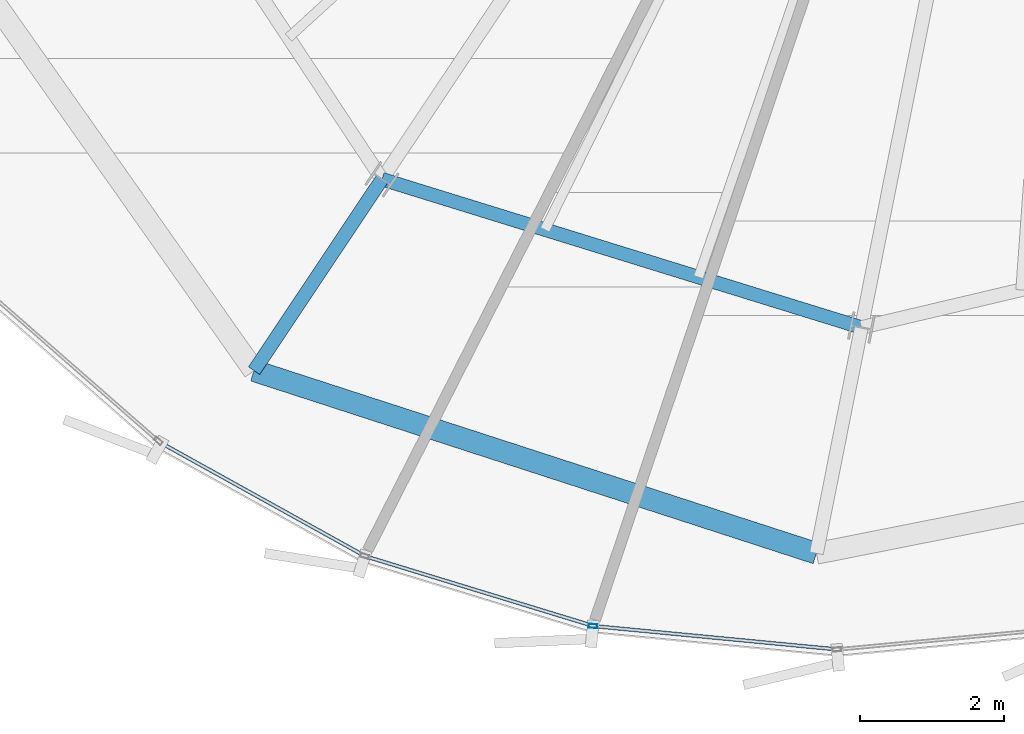
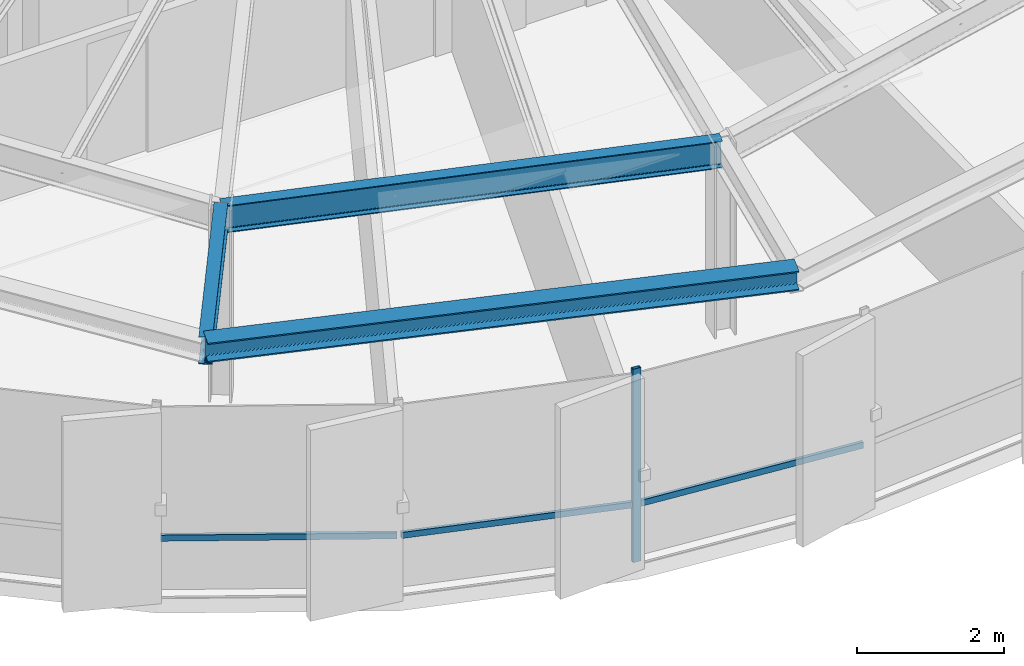
# One storey, part 3 of 33: 4 members, 3 beams, 1 element without a shape of its own.
"""IFC4 building model written with IfcOpenShell, lengths in metres."""

from ifc_helpers import new_model, si_unit, direction, frame, origin, origin_2d, place, context, subcontext, project, spatial, hollow_rectangle, i_section, extrude, source, transform, mapped, material, layer, layer_set, material_profile, profile_set, type_object, element, aggregate, save


model = new_model("IFC4")

# Units and contexts
model_context = context("Model", 3, precision=1e-05, world=origin(), true_north=direction((0.0, 1.0)))
body_context = subcontext(model_context, "Body", "Model", "MODEL_VIEW")
ifc_project = project(units=[si_unit("LENGTHUNIT", "METRE"), si_unit("AREAUNIT", "SQUARE_METRE"), si_unit("VOLUMEUNIT", "CUBIC_METRE"), si_unit("PLANEANGLEUNIT", "RADIAN"), si_unit("MASSUNIT", "GRAM", prefix="KILO"), si_unit("THERMODYNAMICTEMPERATUREUNIT", "KELVIN")], contexts=[model_context])

# Site, building, storey
site_placement = place(None, origin())
site = spatial("IfcSite", under=ifc_project, at=site_placement, CompositionType="ELEMENT")
building_placement = place(site_placement, origin())
building = spatial("IfcBuilding", under=site, at=building_placement, Name="Kethvar Cultural Tower", CompositionType="ELEMENT")
storey_placement = place(building_placement, frame((0.0, 0.0, 256.0)))
storey = spatial("IfcBuildingStorey", under=building, at=storey_placement, Name="L67", CompositionType="ELEMENT", Elevation=256.0)

# Beams
ifc_material_1 = material(Name="Steel S355J2", Category="steel")
ifc_material_profile_1 = material_profile(ifc_material_1, i_section(OverallWidth=0.18994140625, OverallDepth=0.449951171875, WebThickness=0.009521484375, FlangeThickness=0.0146484375, FilletRadius=0.02099609375, at=origin_2d()), Name="Steel S355J2 — IPE450")
ifc_profile_set_1 = profile_set([ifc_material_profile_1], Name="Steel S355J2 — IPE450")
beam_type_1 = type_object("IfcBeamType", Name="BM-IPE450", PredefinedType="BEAM", material=ifc_profile_set_1)
shared_shape_1 = source(origin(), body_context, "Body", "SweptSolid", [
    extrude(i_section(OverallWidth=0.18994140625, OverallDepth=0.449951171875, WebThickness=0.009521484375, FlangeThickness=0.0146484375, FilletRadius=0.02099609375, at=origin_2d()), origin(), (0.0, 0.0, 1.0), 3.199951171875),
])
beam_1_placement = place(storey_placement, frame((36.731201171875, 12.73095703125, 2.98291015625), z_axis=(-0.555580212716, -0.831462943996, 0.0), x_axis=(0.831462943996, -0.555580212716, 0.0)))
element("IfcBeam", 1, at=beam_1_placement, inside=storey, type_object=beam_type_1, Name="L67 Perimeter Cantilever Beam RC-11", PredefinedType="BEAM", context=body_context, shape_type="MappedRepresentation", body=[
    mapped(shared_shape_1, transform((0.0, 0.0, 0.0), scale=1.0)),
])
shared_shape_2 = source(origin(), body_context, "Body", "SweptSolid", [
    extrude(i_section(OverallWidth=0.18994140625, OverallDepth=0.449951171875, WebThickness=0.009521484375, FlangeThickness=0.0146484375, FilletRadius=0.02099609375, at=origin_2d()), origin(), (0.0, 0.0, 1.0), 6.97265625),
])
beam_2_placement = place(storey_placement, frame((36.731201171875, 12.73095703125, 2.98291015625), z_axis=(0.955381444404, -0.295374839295, 0.0), x_axis=(0.295374839295, 0.955381444404, 0.0)))
element("IfcBeam", 2, at=beam_2_placement, inside=storey, type_object=beam_type_1, Name="L67 Column Ring Tie Beam CR-11", PredefinedType="BEAM", context=body_context, shape_type="MappedRepresentation", body=[
    mapped(shared_shape_2, transform((0.0, 0.0, 0.0), scale=1.0)),
])
ifc_material_profile_2 = material_profile(ifc_material_1, i_section(OverallWidth=0.300048828125, OverallDepth=0.320068359375, WebThickness=0.011474609375, FlangeThickness=0.0205078125, FilletRadius=0.027099609375, at=origin_2d()), Name="Steel S355J2 — HEB320")
ifc_profile_set_2 = profile_set([ifc_material_profile_2], Name="Steel S355J2 — HEB320")
beam_type_2 = type_object("IfcBeamType", Name="BM-SP320", PredefinedType="SPANDREL", material=ifc_profile_set_2)
shared_shape_3 = source(origin(), body_context, "Body", "SweptSolid", [
    extrude(i_section(OverallWidth=0.300048828125, OverallDepth=0.320068359375, WebThickness=0.011474609375, FlangeThickness=0.0205078125, FilletRadius=0.027099609375, at=origin_2d()), origin(), (0.0, 0.0, 1.0), 8.216796875),
])
beam_3_placement = place(storey_placement, frame((34.953369140625, 10.0703125, 3.048095703125), z_axis=(0.951117661456, -0.30882874553, 0.0), x_axis=(0.30882874553, 0.951117661456, 0.0)))
element("IfcBeam", 3, at=beam_3_placement, inside=storey, type_object=beam_type_2, Name="L67 Perimeter Spandrel Beam SP-11", PredefinedType="SPANDREL", context=body_context, shape_type="MappedRepresentation", body=[
    mapped(shared_shape_3, transform((0.0, 0.0, 0.0), scale=1.0)),
])

# Curtain wall, members
ifc_material_2 = material(Name="Aluminium 6063-T6", Category="aluminium")
ifc_layer = layer(ifc_material_2, 0.179931640625, Name="Aluminium 6063-T6", Category="aluminium")
ifc_layer_set = layer_set([ifc_layer], Name="Aluminium 6063-T6 (180 mm)")
curtain_wall_type = type_object("IfcCurtainWallType", Name="CW-SYS-05-Z56", PredefinedType="NOTDEFINED", material=ifc_layer_set)
curtain_wall_placement = place(storey_placement, origin())
curtain_wall = element("IfcCurtainWall", 4, at=curtain_wall_placement, inside=storey, type_object=curtain_wall_type, Name="L67 Curtain Wall Run 04", PredefinedType="NOTDEFINED")
ifc_material_profile_3 = material_profile(ifc_material_2, hollow_rectangle(XDim=0.054931640625, YDim=0.1201171875, WallThickness=0.00390625, at=origin_2d()), Name="Aluminium 6063-T6 — RHS120x55x4")
ifc_profile_set_3 = profile_set([ifc_material_profile_3], Name="Aluminium 6063-T6 — RHS120x55x4")
member_type_1 = type_object("IfcMemberType", Name="CW-SYS-05-Z56-MUL", PredefinedType="MULLION", material=ifc_profile_set_3)
shared_shape_4 = source(origin(), body_context, "Body", "SweptSolid", [
    extrude(hollow_rectangle(XDim=0.054931640625, YDim=0.1201171875, WallThickness=0.00390625, at=origin_2d()), origin(), (0.0, 0.0, 1.0), 3.2099609375),
])
member_1_placement = place(storey_placement, frame((39.662841796875, 6.523193359375, 0.0), z_axis=(0.0, 0.0, 1.0), x_axis=(0.095289803488, 0.995449573485, 0.0)))
member_1 = element("IfcMember", 5, at=member_1_placement, type_object=member_type_1, Name="CW-L67-R04 Mullion 3", PredefinedType="MULLION", context=body_context, shape_type="MappedRepresentation", body=[
    mapped(shared_shape_4, transform((0.0, 0.0, 0.0), scale=1.0)),
])
ifc_material_profile_4 = material_profile(ifc_material_2, hollow_rectangle(XDim=0.050048828125, YDim=0.10009765625, WallThickness=0.00390625, at=origin_2d()), Name="Aluminium 6063-T6 — RHS100x50x4")
ifc_profile_set_4 = profile_set([ifc_material_profile_4], Name="Aluminium 6063-T6 — RHS100x50x4")
member_type_2 = type_object("IfcMemberType", Name="CW-SYS-05-Z56-TRN", PredefinedType="USERDEFINED", material=ifc_profile_set_4)
shared_shape_5 = source(origin(), body_context, "Body", "SweptSolid", [
    extrude(hollow_rectangle(XDim=0.050048828125, YDim=0.10009765625, WallThickness=0.00390625, at=origin_2d()), origin(), (0.0, 0.0, 1.0), 3.345458984375),
])
member_2_placement = place(storey_placement, frame((39.7021484375, 6.51953125, 0.949951171875), z_axis=(0.995448120498, -0.095304980967, 0.0), x_axis=(0.095304980967, 0.995448120498, 0.0)))
member_2 = element("IfcMember", 6, at=member_2_placement, type_object=member_type_2, Name="CW-L67-R04 Transom 3", ObjectType="TRANSOM", PredefinedType="USERDEFINED", context=body_context, shape_type="MappedRepresentation", body=[
    mapped(shared_shape_5, transform((0.0, 0.0, 0.0), scale=1.0)),
])
shared_shape_6 = source(origin(), body_context, "Body", "SweptSolid", [
    extrude(hollow_rectangle(XDim=0.050048828125, YDim=0.10009765625, WallThickness=0.00390625, at=origin_2d()), origin(), (0.0, 0.0, 1.0), 3.258544921875),
])
member_3_placement = place(storey_placement, frame((36.528564453125, 7.483642578125, 0.949951171875), z_axis=(0.956312012467, -0.292347968713, 0.0), x_axis=(0.292347968713, 0.956312012467, 0.0)))
member_3 = element("IfcMember", 7, at=member_3_placement, type_object=member_type_2, Name="CW-L67-R04 Transom 2", ObjectType="TRANSOM", PredefinedType="USERDEFINED", context=body_context, shape_type="MappedRepresentation", body=[
    mapped(shared_shape_6, transform((0.0, 0.0, 0.0), scale=1.0)),
])
shared_shape_7 = source(origin(), body_context, "Body", "SweptSolid", [
    extrude(hollow_rectangle(XDim=0.050048828125, YDim=0.10009765625, WallThickness=0.00390625, at=origin_2d()), origin(), (0.0, 0.0, 1.0), 3.211181640625),
])
member_4_placement = place(storey_placement, frame((33.6669921875, 9.063720703125, 0.949951171875), z_axis=(0.874529977315, -0.484971461818, 0.0), x_axis=(0.484971461818, 0.874529977315, 0.0)))
member_4 = element("IfcMember", 8, at=member_4_placement, type_object=member_type_2, Name="CW-L67-R04 Transom 1", ObjectType="TRANSOM", PredefinedType="USERDEFINED", context=body_context, shape_type="MappedRepresentation", body=[
    mapped(shared_shape_7, transform((0.0, 0.0, 0.0), scale=1.0)),
])
aggregate(curtain_wall, [member_1, member_4, member_3, member_2])

save(model, "model.ifc")
